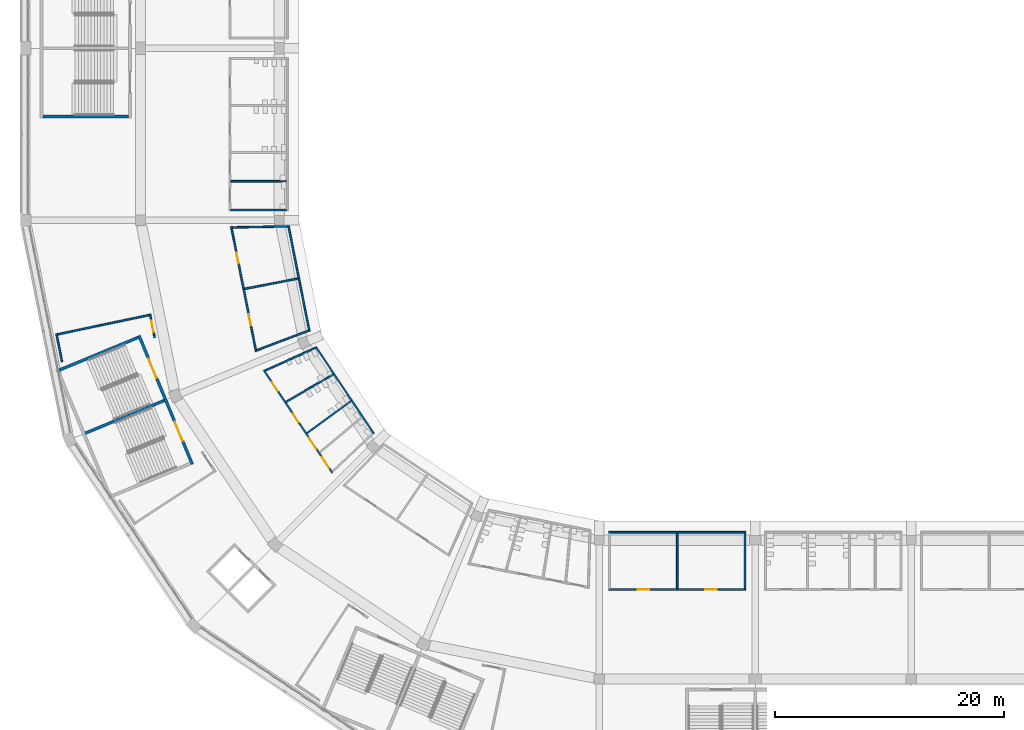
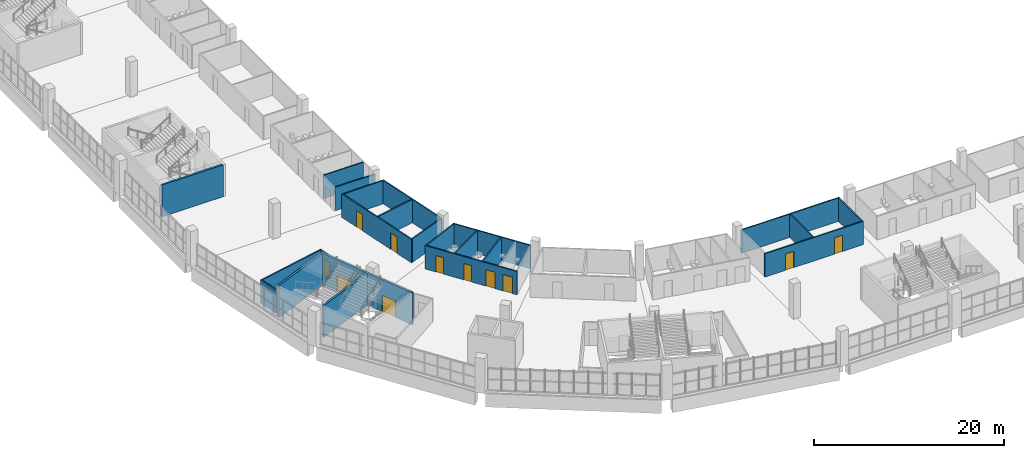
# One storey, part 75 of 199: 23 walls, 11 doors, 11 openings.
"""IFC4 building model written with IfcOpenShell, lengths in metres."""

from ifc_helpers import new_model, si_unit, direction, frame, frame_2d, origin, place, context, subcontext, project, spatial, rectangle, extrude, material, layer, layer_set, type_object, element, fill, save


model = new_model("IFC4")

# Units and contexts
model_context = context("Model", 3, precision=1e-05, world=origin(), true_north=direction((0.0, 1.0)))
body_context = subcontext(model_context, "Body", "Model", "MODEL_VIEW")
ifc_project = project(units=[si_unit("LENGTHUNIT", "METRE"), si_unit("AREAUNIT", "SQUARE_METRE"), si_unit("VOLUMEUNIT", "CUBIC_METRE"), si_unit("PLANEANGLEUNIT", "RADIAN"), si_unit("MASSUNIT", "GRAM", prefix="KILO")], contexts=[model_context])

# Site, building, storey
site_placement = place(None, origin())
site = spatial("IfcSite", under=ifc_project, at=site_placement, CompositionType="ELEMENT")
building_placement = place(site_placement, origin())
building = spatial("IfcBuilding", under=site, at=building_placement, Name="Ogive Plaza Stadium", CompositionType="ELEMENT")
storey_placement = place(building_placement, frame((0.0, 0.0, 4.5)))
storey = spatial("IfcBuildingStorey", under=building, at=storey_placement, Name="L01", CompositionType="ELEMENT", Elevation=4.5)

# Wall
ifc_material_1 = material(Name="Masonry blockwork", Category="masonry")
ifc_layer_1 = layer(ifc_material_1, 0.14990234375)
ifc_layer_set_1 = layer_set([ifc_layer_1], Name="Blockwork wall 150")
wall_type_1 = type_object("IfcWallType", Name="Blockwork wall 150", PredefinedType="SOLIDWALL", material=ifc_layer_set_1)
wall_1_placement = place(storey_placement, frame((-21.22509765625, -79.699951171875, 0.0), z_axis=(0.0, 0.0, 1.0), x_axis=(-1.0, 0.0, 0.0)))
element("IfcWall", 1, at=wall_1_placement, inside=storey, type_object=wall_type_1, Name="Wall L01 B16", PredefinedType="SOLIDWALL", context=body_context, shape_type="SweptSolid", body=[
    extrude(rectangle(XDim=11.949951171875, YDim=0.14990234375, at=frame_2d((5.97509765625, 0.0))), origin(), (0.0, 0.0, 1.0), 3.0),
])

# Wall, openings, doors
wall_2_placement = place(storey_placement, frame((-21.22509765625, -84.699951171875, 0.0), z_axis=(0.0, 0.0, 1.0), x_axis=(-1.0, 0.0, 0.0)))
wall_2 = element("IfcWall", 2, at=wall_2_placement, inside=storey, type_object=wall_type_1, Name="Wall L01 B16", PredefinedType="SOLIDWALL", context=body_context, shape_type="SweptSolid", body=[
    extrude(rectangle(XDim=11.949951171875, YDim=0.14990234375, at=frame_2d((5.97509765625, 0.0))), origin(), (0.0, 0.0, 1.0), 3.0),
])
opening_1_placement = place(wall_2_placement, frame((2.52490234375, 0.0, 0.0)))
opening_1 = element("IfcOpeningElement", 3, at=opening_1_placement, cuts=wall_2, Name="Opening D0519", PredefinedType="OPENING", context=body_context, shape_type="SweptSolid", body=[
    extrude(rectangle(XDim=1.0, YDim=2.10009765625, at=frame_2d((0.5, 1.050048828125))), frame((0.0, 0.074951171875, 0.0), z_axis=(0.0, -1.0, 0.0), x_axis=(1.0, 0.0, 0.0)), (0.0, 0.0, 1.0), 0.14990234375),
])
opening_2_placement = place(wall_2_placement, frame((8.425048828125, 0.0, 0.0)))
opening_2 = element("IfcOpeningElement", 4, at=opening_2_placement, cuts=wall_2, Name="Opening D0520", PredefinedType="OPENING", context=body_context, shape_type="SweptSolid", body=[
    extrude(rectangle(XDim=1.0, YDim=2.10009765625, at=frame_2d((0.5, 1.050048828125))), frame((0.0, 0.074951171875, 0.0), z_axis=(0.0, -1.0, 0.0), x_axis=(1.0, 0.0, 0.0)), (0.0, 0.0, 1.0), 0.14990234375),
])
ifc_material_2 = material(Name="Steel ASTM A572 Grade 50", Category="steel")
door_type_1 = type_object("IfcDoorType", Name="Door 1000 x 2100", OperationType="SINGLE_SWING_LEFT", PredefinedType="DOOR", material=ifc_material_2)
door_1_placement = place(opening_1_placement, origin())
door_1 = element("IfcDoor", 5, at=door_1_placement, inside=storey, type_object=door_type_1, Name="Club Bar B16 door", OperationType="SINGLE_SWING_RIGHT", OverallHeight=2.10009765625, OverallWidth=1.0, PredefinedType="DOOR", context=body_context, shape_type="SweptSolid", body=[
    extrude(rectangle(XDim=1.0, YDim=2.10009765625, at=frame_2d((0.5, 1.050048828125))), frame((0.0, 0.02490234375, 0.0), z_axis=(0.0, -1.0, 0.0), x_axis=(1.0, 0.0, 0.0)), (0.0, 0.0, 1.0), 0.050048828125),
])
fill(opening_1, door_1)
ifc_material_3 = material(Name="Steel ASTM A572 Grade 50", Category="steel")
door_type_2 = type_object("IfcDoorType", Name="Fire door FD60 1000 x 2100", OperationType="SINGLE_SWING_LEFT", PredefinedType="DOOR", material=ifc_material_3)
door_2_placement = place(opening_2_placement, origin())
door_2 = element("IfcDoor", 6, at=door_2_placement, inside=storey, type_object=door_type_2, Name="Club Kitchen B16 door", OperationType="SINGLE_SWING_LEFT", OverallHeight=2.10009765625, OverallWidth=1.0, PredefinedType="DOOR", context=body_context, shape_type="SweptSolid", body=[
    extrude(rectangle(XDim=1.0, YDim=2.10009765625, at=frame_2d((0.5, 1.050048828125))), frame((0.0, 0.02490234375, 0.0), z_axis=(0.0, -1.0, 0.0), x_axis=(1.0, 0.0, 0.0)), (0.0, 0.0, 1.0), 0.050048828125),
])
fill(opening_2, door_2)

# Walls
for number, where, z_axis, x_axis, name in (
    (7, (-21.300048828125, -79.77490234375, 0.0), (0.0, 0.0, 1.0), (0.0, -1.0, 0.0), "Wall L01 B16"),
    (8, (-27.199951171875, -79.77490234375, 0.0), (0.0, 0.0, 1.0), (0.0, -1.0, 0.0), "Wall L01 B16"),
):
    element("IfcWall", number, at=place(storey_placement, frame(where, z_axis=z_axis, x_axis=x_axis)), inside=storey, type_object=wall_type_1, Name=name, PredefinedType="SOLIDWALL", context=body_context, shape_type="SweptSolid", body=[
        extrude(rectangle(XDim=4.85009765625, YDim=0.14990234375, at=frame_2d((2.425048828125, 0.0))), origin(), (0.0, 0.0, 1.0), 3.0),
    ])
wall_3_placement = place(storey_placement, frame((-59.27685546875, -62.16796875, 0.0), z_axis=(0.0, 0.0, 1.0), x_axis=(-0.195100776204, 0.980783200878, 0.0)))
element("IfcWall", 9, at=wall_3_placement, inside=storey, type_object=wall_type_1, Name="Wall L01 B20", PredefinedType="SOLIDWALL", context=body_context, shape_type="SweptSolid", body=[
    extrude(rectangle(XDim=9.3876953125, YDim=0.14990234375, at=frame_2d((4.69384765625, 0.0))), origin(), (0.0, 0.0, 1.0), 3.0),
])

# Wall, openings, doors
wall_4_placement = place(storey_placement, frame((-63.92333984375, -63.945068359375, 0.0), z_axis=(0.0, 0.0, 1.0), x_axis=(-0.195102100298, 0.980782937484, 0.0)))
wall_4 = element("IfcWall", 10, at=wall_4_placement, inside=storey, type_object=wall_type_1, Name="Wall L01 B20", PredefinedType="SOLIDWALL", context=body_context, shape_type="SweptSolid", body=[
    extrude(rectangle(XDim=11.11328125, YDim=0.14990234375, at=frame_2d((5.556640625, 0.0))), origin(), (0.0, 0.0, 1.0), 3.0),
])
opening_3_placement = place(wall_4_placement, frame((2.319091796875, 0.0, 0.0)))
opening_3 = element("IfcOpeningElement", 11, at=opening_3_placement, cuts=wall_4, Name="Opening D0534", PredefinedType="OPENING", context=body_context, shape_type="SweptSolid", body=[
    extrude(rectangle(XDim=1.0, YDim=2.10009765625, at=frame_2d((0.5, 1.050048828125))), frame((0.0, 0.074951171875, 0.0), z_axis=(0.0, -1.0, 0.0), x_axis=(1.0, 0.0, 0.0)), (0.0, 0.0, 1.0), 0.14990234375),
])
opening_4_placement = place(wall_4_placement, frame((7.79443359375, 0.0, 0.0)))
opening_4 = element("IfcOpeningElement", 12, at=opening_4_placement, cuts=wall_4, Name="Opening D0535", PredefinedType="OPENING", context=body_context, shape_type="SweptSolid", body=[
    extrude(rectangle(XDim=1.0, YDim=2.10009765625, at=frame_2d((0.5, 1.050048828125))), frame((0.0, 0.074951171875, 0.0), z_axis=(0.0, -1.0, 0.0), x_axis=(1.0, 0.0, 0.0)), (0.0, 0.0, 1.0), 0.14990234375),
])
door_3_placement = place(opening_3_placement, origin())
door_3 = element("IfcDoor", 13, at=door_3_placement, inside=storey, type_object=door_type_1, Name="Club Bar B20 door", OperationType="SINGLE_SWING_LEFT", OverallHeight=2.10009765625, OverallWidth=1.0, PredefinedType="DOOR", context=body_context, shape_type="SweptSolid", body=[
    extrude(rectangle(XDim=1.0, YDim=2.10009765625, at=frame_2d((0.5, 1.050048828125))), frame((0.0, 0.02490234375, 0.0), z_axis=(0.0, -1.0, 0.0), x_axis=(1.0, 0.0, 0.0)), (0.0, 0.0, 1.0), 0.050048828125),
])
fill(opening_3, door_3)
door_4_placement = place(opening_4_placement, origin())
door_4 = element("IfcDoor", 14, at=door_4_placement, inside=storey, type_object=door_type_2, Name="Club Kitchen B20 door", OperationType="SINGLE_SWING_RIGHT", OverallHeight=2.10009765625, OverallWidth=1.0, PredefinedType="DOOR", context=body_context, shape_type="SweptSolid", body=[
    extrude(rectangle(XDim=1.0, YDim=2.10009765625, at=frame_2d((0.5, 1.050048828125))), frame((0.0, 0.02490234375, 0.0), z_axis=(0.0, -1.0, 0.0), x_axis=(1.0, 0.0, 0.0)), (0.0, 0.0, 1.0), 0.050048828125),
])
fill(opening_4, door_4)

# Walls
wall_5_placement = place(storey_placement, frame((-59.360107421875, -62.126953125, 0.0), z_axis=(0.0, 0.0, 1.0), x_axis=(-0.934900839957, -0.354909029819, 0.0)))
element("IfcWall", 15, at=wall_5_placement, inside=storey, type_object=wall_type_1, Name="Wall L01 B20", PredefinedType="SOLIDWALL", context=body_context, shape_type="SweptSolid", body=[
    extrude(rectangle(XDim=4.823486328125, YDim=0.14990234375, at=frame_2d((2.41162109375, 0.0))), origin(), (0.0, 0.0, 1.0), 3.0),
])
wall_6_placement = place(storey_placement, frame((-60.264892578125, -57.578369140625, 0.0), z_axis=(0.0, 0.0, 1.0), x_axis=(-0.981823683867, -0.189795294456, 0.0)))
element("IfcWall", 16, at=wall_6_placement, inside=storey, type_object=wall_type_1, Name="Wall L01 B20", PredefinedType="SOLIDWALL", context=body_context, shape_type="SweptSolid", body=[
    extrude(rectangle(XDim=4.7568359375, YDim=0.14990234375, at=frame_2d((2.37841796875, 0.0))), origin(), (0.0, 0.0, 1.0), 3.0),
])
wall_7_placement = place(storey_placement, frame((-61.169677734375, -53.029541015625, 0.0), z_axis=(0.0, 0.0, 1.0), x_axis=(-0.999810800275, -0.01945157199, 0.0)))
element("IfcWall", 17, at=wall_7_placement, inside=storey, type_object=wall_type_1, Name="Wall L01 B20", PredefinedType="SOLIDWALL", context=body_context, shape_type="SweptSolid", body=[
    extrude(rectangle(XDim=4.832275390625, YDim=0.14990234375, at=frame_2d((2.416015625, 0.0))), origin(), (0.0, 0.0, 1.0), 3.0),
])

# Wall, opening, door
wall_8_placement = place(storey_placement, frame((-72.767578125, -62.71728515625, 0.0), z_axis=(0.0, 0.0, 1.0), x_axis=(-0.195168143279, 0.980769797582, 0.0)))
wall_8 = element("IfcWall", 18, at=wall_8_placement, inside=storey, type_object=wall_type_1, Name="Wall L01 B20", PredefinedType="SOLIDWALL", context=body_context, shape_type="SweptSolid", body=[
    extrude(rectangle(XDim=2.080322265625, YDim=0.14990234375, at=frame_2d((1.0400390625, 0.0))), origin(), (0.0, 0.0, 1.0), 3.0),
])
opening_5_placement = place(wall_8_placement, frame((0.47216796875, 0.0, 0.0)))
opening_5 = element("IfcOpeningElement", 19, at=opening_5_placement, cuts=wall_8, Name="Opening D0536", PredefinedType="OPENING", context=body_context, shape_type="SweptSolid", body=[
    extrude(rectangle(XDim=1.0, YDim=2.10009765625, at=frame_2d((0.5, 1.050048828125))), frame((0.0, 0.074951171875, 0.0), z_axis=(0.0, -1.0, 0.0), x_axis=(1.0, 0.0, 0.0)), (0.0, 0.0, 1.0), 0.14990234375),
])
door_5_placement = place(opening_5_placement, origin())
door_5 = element("IfcDoor", 20, at=door_5_placement, inside=storey, type_object=door_type_2, Name="Cleaner's Store B20 door", OperationType="SINGLE_SWING_RIGHT", OverallHeight=2.10009765625, OverallWidth=1.0, PredefinedType="DOOR", context=body_context, shape_type="SweptSolid", body=[
    extrude(rectangle(XDim=1.0, YDim=2.10009765625, at=frame_2d((0.5, 1.050048828125))), frame((0.0, 0.02490234375, 0.0), z_axis=(0.0, -1.0, 0.0), x_axis=(1.0, 0.0, 0.0)), (0.0, 0.0, 1.0), 0.050048828125),
])
fill(opening_5, door_5)

# Walls
wall_9_placement = place(storey_placement, frame((-80.84423828125, -64.845947265625, 0.0), z_axis=(0.0, 0.0, 1.0), x_axis=(-0.195126097309, 0.980778163577, 0.0)))
element("IfcWall", 21, at=wall_9_placement, inside=storey, type_object=wall_type_1, Name="Wall L01 B20", PredefinedType="SOLIDWALL", context=body_context, shape_type="SweptSolid", body=[
    extrude(rectangle(XDim=2.513671875, YDim=0.14990234375, at=frame_2d((1.2568359375, 0.0))), origin(), (0.0, 0.0, 1.0), 3.0),
])
wall_10_placement = place(storey_placement, frame((-73.232177734375, -60.7587890625, 0.0), z_axis=(0.0, 0.0, 1.0), x_axis=(-0.978549468707, -0.206011983374, 0.0)))
element("IfcWall", 22, at=wall_10_placement, inside=storey, type_object=wall_type_1, Name="Wall L01 B20", PredefinedType="SOLIDWALL", context=body_context, shape_type="SweptSolid", body=[
    extrude(rectangle(XDim=8.190185546875, YDim=0.14990234375, at=frame_2d((4.09521484375, 0.0))), origin(), (0.0, 0.0, 1.0), 3.0),
])

# Wall, openings, doors
ifc_material_4 = material(Name="Concrete C40/50", Category="concrete")
ifc_layer_2 = layer(ifc_material_4, 0.25)
ifc_layer_set_2 = layer_set([ifc_layer_2], Name="Concrete C40/50")
wall_type_2 = type_object("IfcWallType", Name="Core wall 250", PredefinedType="SHEAR", material=ifc_layer_set_2)
wall_11_placement = place(storey_placement, frame((-74.134521484375, -62.548828125, 0.0), z_axis=(0.0, 0.0, 1.0), x_axis=(0.382688386133, -0.923877480578, 0.0)))
wall_11 = element("IfcWall", 23, at=wall_11_placement, inside=storey, type_object=wall_type_2, Name="Stair core R20 inner wall", PredefinedType="SHEAR", context=body_context, shape_type="SweptSolid", body=[
    extrude(rectangle(XDim=12.14990234375, YDim=0.25, at=frame_2d((6.074951171875, 0.0))), origin(), (0.0, 0.0, 1.0), 4.090087890625),
])
opening_6_placement = place(wall_11_placement, frame((2.199951171875, 0.0, 0.0)))
opening_6 = element("IfcOpeningElement", 24, at=opening_6_placement, cuts=wall_11, Name="Opening D0159", PredefinedType="OPENING", context=body_context, shape_type="SweptSolid", body=[
    extrude(rectangle(XDim=1.800048828125, YDim=2.10009765625, at=frame_2d((0.89990234375, 1.050048828125))), frame((0.0, 0.125, 0.0), z_axis=(0.0, -1.0, 0.0), x_axis=(1.0, 0.0, 0.0)), (0.0, 0.0, 1.0), 0.25),
])
opening_7_placement = place(wall_11_placement, frame((8.14990234375, 0.0, 0.0)))
opening_7 = element("IfcOpeningElement", 25, at=opening_7_placement, cuts=wall_11, Name="Opening D0160", PredefinedType="OPENING", context=body_context, shape_type="SweptSolid", body=[
    extrude(rectangle(XDim=1.800048828125, YDim=2.10009765625, at=frame_2d((0.89990234375, 1.050048828125))), frame((0.0, 0.125, 0.0), z_axis=(0.0, -1.0, 0.0), x_axis=(1.0, 0.0, 0.0)), (0.0, 0.0, 1.0), 0.25),
])
ifc_material_5 = material(Name="Steel ASTM A572 Grade 50", Category="steel")
door_type_3 = type_object("IfcDoorType", Name="Fire door FD90 pair 1800 x 2100", OperationType="DOUBLE_DOOR_SINGLE_SWING", PredefinedType="DOOR", material=ifc_material_5)
door_6_placement = place(opening_6_placement, origin())
door_6 = element("IfcDoor", 26, at=door_6_placement, inside=storey, type_object=door_type_3, Name="Exit stair R20A door L01", OperationType="DOUBLE_DOOR_SINGLE_SWING", OverallHeight=2.10009765625, OverallWidth=1.800048828125, PredefinedType="DOOR", context=body_context, shape_type="SweptSolid", body=[
    extrude(rectangle(XDim=1.800048828125, YDim=2.10009765625, at=frame_2d((0.89990234375, 1.050048828125))), frame((0.0, 0.02490234375, 0.0), z_axis=(0.0, -1.0, 0.0), x_axis=(1.0, 0.0, 0.0)), (0.0, 0.0, 1.0), 0.050048828125),
])
fill(opening_6, door_6)
door_7_placement = place(opening_7_placement, origin())
door_7 = element("IfcDoor", 27, at=door_7_placement, inside=storey, type_object=door_type_3, Name="Exit stair R20B door L01", OperationType="DOUBLE_DOOR_SINGLE_SWING", OverallHeight=2.10009765625, OverallWidth=1.800048828125, PredefinedType="DOOR", context=body_context, shape_type="SweptSolid", body=[
    extrude(rectangle(XDim=1.800048828125, YDim=2.10009765625, at=frame_2d((0.89990234375, 1.050048828125))), frame((0.0, 0.02490234375, 0.0), z_axis=(0.0, -1.0, 0.0), x_axis=(1.0, 0.0, 0.0)), (0.0, 0.0, 1.0), 0.050048828125),
])
fill(opening_7, door_7)

# Walls
wall_12_placement = place(storey_placement, frame((-74.2021484375, -62.712158203125, 0.0), z_axis=(0.0, 0.0, 1.0), x_axis=(-0.923887204407, -0.382664910245, 0.0)))
element("IfcWall", 28, at=wall_12_placement, inside=storey, type_object=wall_type_2, Name="Stair core R20 side wall", PredefinedType="SHEAR", context=body_context, shape_type="SweptSolid", body=[
    extrude(rectangle(XDim=7.460205078125, YDim=0.25, at=frame_2d((3.72998046875, 0.0))), origin(), (0.0, 0.0, 1.0), 4.090087890625),
])
for number, where, z_axis, x_axis, name in (
    (29, (-71.92529296875, -68.209228515625, 0.0), (0.0, 0.0, 1.0), (-0.923882412044, -0.382676480483, 0.0), "Stair core R20 centre wall"),
    (30, (-75.050048828125, -43.449951171875, 0.0), (0.0, 0.0, 1.0), (-1.0, 0.0, 0.0), "Stair core R22 side wall"),
):
    element("IfcWall", number, at=place(storey_placement, frame(where, z_axis=z_axis, x_axis=x_axis)), inside=storey, type_object=wall_type_2, Name=name, PredefinedType="SHEAR", context=body_context, shape_type="SweptSolid", body=[
        extrude(rectangle(XDim=7.4599609375, YDim=0.25, at=frame_2d((3.72998046875, 0.0))), origin(), (0.0, 0.0, 1.0), 4.090087890625),
    ])
ifc_material_6 = material(Name="Gypsum board partition", Category="gypsum")
ifc_layer_3 = layer(ifc_material_6, 0.14990234375)
ifc_layer_set_3 = layer_set([ifc_layer_3], Name="Partition 150")
wall_type_3 = type_object("IfcWallType", Name="Partition 150", PredefinedType="PARTITIONING", material=ifc_layer_set_3)
wall_13_placement = place(storey_placement, frame((-58.709716796875, -63.537109375, 0.0), z_axis=(0.0, 0.0, 1.0), x_axis=(0.555566497886, -0.831472108027, 0.0)))
element("IfcWall", 31, at=wall_13_placement, inside=storey, type_object=wall_type_3, Name="Wall L01 B19", PredefinedType="PARTITIONING", context=body_context, shape_type="SweptSolid", body=[
    extrude(rectangle(XDim=9.101806640625, YDim=0.14990234375, at=frame_2d((4.55078125, 0.0))), origin(), (0.0, 0.0, 1.0), 3.0),
])

# Wall, openings, doors
wall_14_placement = place(storey_placement, frame((-63.251953125, -65.566162109375, 0.0), z_axis=(0.0, 0.0, 1.0), x_axis=(0.555562662276, -0.831474670862, 0.0)))
wall_14 = element("IfcWall", 32, at=wall_14_placement, inside=storey, type_object=wall_type_3, Name="Wall L01 B19", PredefinedType="PARTITIONING", context=body_context, shape_type="SweptSolid", body=[
    extrude(rectangle(XDim=10.77490234375, YDim=0.14990234375, at=frame_2d((5.387451171875, 0.0))), origin(), (0.0, 0.0, 1.0), 3.0),
])
opening_8_placement = place(wall_14_placement, frame((1.276123046875, 0.0, 0.0)))
opening_8 = element("IfcOpeningElement", 33, at=opening_8_placement, cuts=wall_14, Name="Opening D0529", PredefinedType="OPENING", context=body_context, shape_type="SweptSolid", body=[
    extrude(rectangle(XDim=0.89990234375, YDim=2.10009765625, at=frame_2d((0.449951171875, 1.050048828125))), frame((0.0, 0.074951171875, 0.0), z_axis=(0.0, -1.0, 0.0), x_axis=(1.0, 0.0, 0.0)), (0.0, 0.0, 1.0), 0.14990234375),
])
opening_9_placement = place(wall_14_placement, frame((4.56591796875, 0.0, 0.0)))
opening_9 = element("IfcOpeningElement", 34, at=opening_9_placement, cuts=wall_14, Name="Opening D0530", PredefinedType="OPENING", context=body_context, shape_type="SweptSolid", body=[
    extrude(rectangle(XDim=0.89990234375, YDim=2.10009765625, at=frame_2d((0.449951171875, 1.050048828125))), frame((0.0, 0.074951171875, 0.0), z_axis=(0.0, -1.0, 0.0), x_axis=(1.0, 0.0, 0.0)), (0.0, 0.0, 1.0), 0.14990234375),
])
opening_10_placement = place(wall_14_placement, frame((7.119140625, 0.0, 0.0)))
opening_10 = element("IfcOpeningElement", 35, at=opening_10_placement, cuts=wall_14, Name="Opening D0531", PredefinedType="OPENING", context=body_context, shape_type="SweptSolid", body=[
    extrude(rectangle(XDim=1.10009765625, YDim=2.10009765625, at=frame_2d((0.550048828125, 1.050048828125))), frame((0.0, 0.074951171875, 0.0), z_axis=(0.0, -1.0, 0.0), x_axis=(1.0, 0.0, 0.0)), (0.0, 0.0, 1.0), 0.14990234375),
])
opening_11_placement = place(wall_14_placement, frame((9.135498046875, 0.0, 0.0)))
opening_11 = element("IfcOpeningElement", 36, at=opening_11_placement, cuts=wall_14, Name="Opening D0532", PredefinedType="OPENING", context=body_context, shape_type="SweptSolid", body=[
    extrude(rectangle(XDim=1.10009765625, YDim=2.10009765625, at=frame_2d((0.550048828125, 1.050048828125))), frame((0.0, 0.074951171875, 0.0), z_axis=(0.0, -1.0, 0.0), x_axis=(1.0, 0.0, 0.0)), (0.0, 0.0, 1.0), 0.14990234375),
])
ifc_material_7 = material(Name="Steel ASTM A572 Grade 50", Category="steel")
door_type_4 = type_object("IfcDoorType", Name="Accessible door 1100 x 2100", OperationType="SINGLE_SWING_LEFT", PredefinedType="DOOR", material=ifc_material_7)
door_8_placement = place(opening_10_placement, origin())
door_8 = element("IfcDoor", 37, at=door_8_placement, inside=storey, type_object=door_type_4, Name="Accessible WC B19 door", OperationType="SINGLE_SWING_LEFT", OverallHeight=2.10009765625, OverallWidth=1.10009765625, PredefinedType="DOOR", context=body_context, shape_type="SweptSolid", body=[
    extrude(rectangle(XDim=1.10009765625, YDim=2.10009765625, at=frame_2d((0.550048828125, 1.050048828125))), frame((0.0, 0.02490234375, 0.0), z_axis=(0.0, -1.0, 0.0), x_axis=(1.0, 0.0, 0.0)), (0.0, 0.0, 1.0), 0.050048828125),
])
fill(opening_10, door_8)
door_9_placement = place(opening_11_placement, origin())
door_9 = element("IfcDoor", 38, at=door_9_placement, inside=storey, type_object=door_type_4, Name="Family WC B19 door", OperationType="SINGLE_SWING_LEFT", OverallHeight=2.10009765625, OverallWidth=1.10009765625, PredefinedType="DOOR", context=body_context, shape_type="SweptSolid", body=[
    extrude(rectangle(XDim=1.10009765625, YDim=2.10009765625, at=frame_2d((0.550048828125, 1.050048828125))), frame((0.0, 0.02490234375, 0.0), z_axis=(0.0, -1.0, 0.0), x_axis=(1.0, 0.0, 0.0)), (0.0, 0.0, 1.0), 0.050048828125),
])
fill(opening_11, door_9)
ifc_material_8 = material(Name="Steel ASTM A572 Grade 50", Category="steel")
door_type_5 = type_object("IfcDoorType", Name="Door 900 x 2100", OperationType="SINGLE_SWING_LEFT", PredefinedType="DOOR", material=ifc_material_8)
door_10_placement = place(opening_8_placement, origin())
door_10 = element("IfcDoor", 39, at=door_10_placement, inside=storey, type_object=door_type_5, Name="Men's Toilet B19 door", OperationType="SINGLE_SWING_RIGHT", OverallHeight=2.10009765625, OverallWidth=0.89990234375, PredefinedType="DOOR", context=body_context, shape_type="SweptSolid", body=[
    extrude(rectangle(XDim=0.89990234375, YDim=2.10009765625, at=frame_2d((0.449951171875, 1.050048828125))), frame((0.0, 0.02490234375, 0.0), z_axis=(0.0, -1.0, 0.0), x_axis=(1.0, 0.0, 0.0)), (0.0, 0.0, 1.0), 0.050048828125),
])
fill(opening_8, door_10)
door_11_placement = place(opening_9_placement, origin())
door_11 = element("IfcDoor", 40, at=door_11_placement, inside=storey, type_object=door_type_5, Name="Women's Toilet B19 door", OperationType="SINGLE_SWING_RIGHT", OverallHeight=2.10009765625, OverallWidth=0.89990234375, PredefinedType="DOOR", context=body_context, shape_type="SweptSolid", body=[
    extrude(rectangle(XDim=0.89990234375, YDim=2.10009765625, at=frame_2d((0.449951171875, 1.050048828125))), frame((0.0, 0.02490234375, 0.0), z_axis=(0.0, -1.0, 0.0), x_axis=(1.0, 0.0, 0.0)), (0.0, 0.0, 1.0), 0.050048828125),
])
fill(opening_9, door_11)

# Walls
wall_15_placement = place(storey_placement, frame((-58.73974609375, -63.625, 0.0), z_axis=(0.0, 0.0, 1.0), x_axis=(-0.912037017215, -0.410107887306, 0.0)))
element("IfcWall", 41, at=wall_15_placement, inside=storey, type_object=wall_type_3, Name="Wall L01 B19", PredefinedType="PARTITIONING", context=body_context, shape_type="SweptSolid", body=[
    extrude(rectangle(XDim=4.8232421875, YDim=0.14990234375, at=frame_2d((2.41162109375, 0.0))), origin(), (0.0, 0.0, 1.0), 3.0),
])
wall_16_placement = place(storey_placement, frame((-57.19140625, -65.94189453125, 0.0), z_axis=(0.0, 0.0, 1.0), x_axis=(-0.865194750368, -0.501435981891, 0.0)))
element("IfcWall", 42, at=wall_16_placement, inside=storey, type_object=wall_type_3, Name="Wall L01 B19", PredefinedType="PARTITIONING", context=body_context, shape_type="SweptSolid", body=[
    extrude(rectangle(XDim=4.7666015625, YDim=0.14990234375, at=frame_2d((2.38330078125, 0.0))), origin(), (0.0, 0.0, 1.0), 3.0),
])
wall_17_placement = place(storey_placement, frame((-55.643310546875, -68.259033203125, 0.0), z_axis=(0.0, 0.0, 1.0), x_axis=(-0.808436593482, -0.588583277302, 0.0)))
element("IfcWall", 43, at=wall_17_placement, inside=storey, type_object=wall_type_3, Name="Wall L01 B19", PredefinedType="PARTITIONING", context=body_context, shape_type="SweptSolid", body=[
    extrude(rectangle(XDim=4.760498046875, YDim=0.14990234375, at=frame_2d((2.38037109375, 0.0))), origin(), (0.0, 0.0, 1.0), 3.0),
])
for number, where, z_axis, x_axis, name in (
    (44, (-61.27490234375, -49.092041015625, 0.0), (0.0, 0.0, 1.0), (-1.0, 0.0, 0.0), "Wall L01 B21"),
    (45, (-61.27490234375, -51.60009765625, 0.0), (0.0, 0.0, 1.0), (-1.0, 0.0, 0.0), "Wall L01 B21"),
):
    element("IfcWall", number, at=place(storey_placement, frame(where, z_axis=z_axis, x_axis=x_axis)), inside=storey, type_object=wall_type_3, Name=name, PredefinedType="PARTITIONING", context=body_context, shape_type="SweptSolid", body=[
        extrude(rectangle(XDim=4.85009765625, YDim=0.14990234375, at=frame_2d((2.425048828125, 0.0))), origin(), (0.0, 0.0, 1.0), 3.0),
    ])

save(model, "model.ifc")
